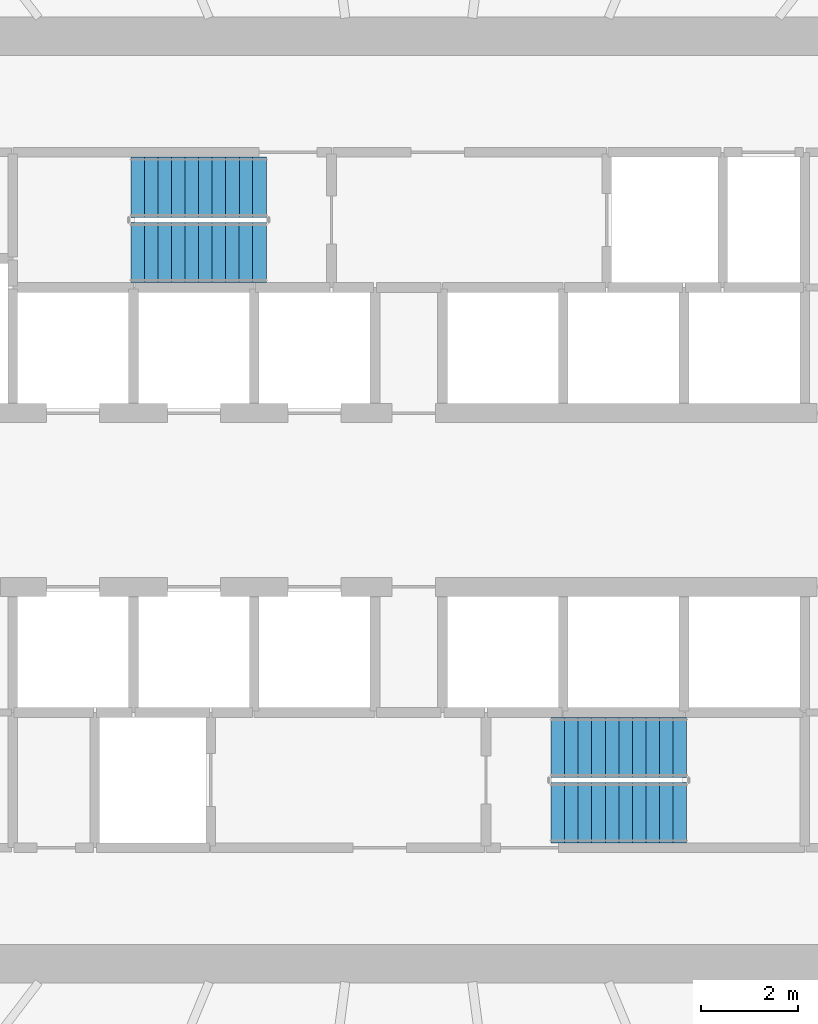
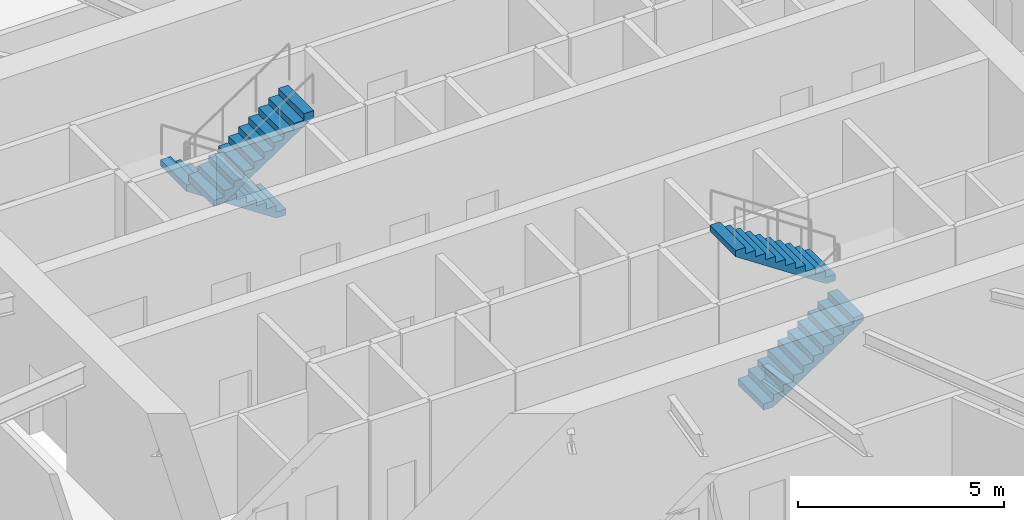
# One storey, part 14 of 17: 4 stair flights, 2 elements without a shape of their own.
"""IFC4 building model written with IfcOpenShell, lengths in metres."""

from ifc_helpers import new_model, si_unit, direction, frame, origin, place, context, subcontext, project, spatial, line, indexed_curve, outline, extrude, material, type_object, element, aggregate, save


model = new_model("IFC4")

# Units and contexts
model_context = context("Model", 3, precision=1e-05, world=origin(), true_north=direction((0.0, 1.0)))
body_context = subcontext(model_context, "Body", "Model", "MODEL_VIEW")
ifc_project = project(units=[si_unit("LENGTHUNIT", "METRE"), si_unit("AREAUNIT", "SQUARE_METRE"), si_unit("VOLUMEUNIT", "CUBIC_METRE"), si_unit("PLANEANGLEUNIT", "RADIAN"), si_unit("MASSUNIT", "GRAM", prefix="KILO")], contexts=[model_context])

# Site, building, storey
site_placement = place(None, origin())
site = spatial("IfcSite", under=ifc_project, at=site_placement, CompositionType="ELEMENT")
building_placement = place(site_placement, origin())
building = spatial("IfcBuilding", under=site, at=building_placement, Name="Spindrift Exchange Tower", CompositionType="ELEMENT")
storey_placement = place(building_placement, frame((0.0, 0.0, 112.60009765625)))
storey = spatial("IfcBuildingStorey", under=building, at=storey_placement, Name="L26", CompositionType="ELEMENT", Elevation=112.60009765625)

# Stair, stair flights
ifc_material = material(Name="Concrete 50 MPa", Category="concrete")
stair_type = type_object("IfcStairType", Name="ST-1250-R186", PredefinedType="HALF_TURN_STAIR", material=ifc_material)
stair_1_placement = place(storey_placement, origin())
stair_1 = element("IfcStair", 1, at=stair_1_placement, inside=storey, type_object=stair_type, Name="L26 Exit stair ST1", PredefinedType="HALF_TURN_STAIR")
stair_flight_type = type_object("IfcStairFlightType", Name="STF-1250-R186", PredefinedType="STRAIGHT", material=ifc_material)
stair_flight_1_placement = place(storey_placement, frame((49.050048828125, 54.47509765625, 0.0), z_axis=(0.0, 0.0, 1.0), x_axis=(-1.0, 0.0, 0.0)))
stair_flight_1 = element("IfcStairFlight", 2, at=stair_flight_1_placement, type_object=stair_flight_type, Name="ST1 flight 1", NumberOfRisers=11, NumberOfTreads=10, PredefinedType="STRAIGHT", RiserHeight=0.186363636, TreadLength=0.28, context=body_context, shape_type="SweptSolid", body=[
    extrude(outline(indexed_curve([(0.0, 0.0), (0.0, 0.1865234375), (0.2802734375, 0.1865234375), (0.2802734375, 0.373046875), (0.5595703125, 0.373046875), (0.5595703125, 0.5595703125), (0.83984375, 0.5595703125), (0.83984375, 0.7451171875), (1.1201171875, 0.7451171875), (1.1201171875, 0.931640625), (1.400390625, 0.931640625), (1.400390625, 1.1181640625), (1.6796875, 1.1181640625), (1.6796875, 1.3046875), (1.9599609375, 1.3046875), (1.9599609375, 1.4912109375), (2.240234375, 1.4912109375), (2.240234375, 1.677734375), (2.51953125, 1.677734375), (2.51953125, 1.86328125), (2.7998046875, 1.86328125), (2.7998046875, 2.0498046875), (2.7998046875, 1.68359375), (0.2705078125, 0.0)], segments=[line(1, 2, 3, 4, 5, 6, 7, 8, 9, 10, 11, 12, 13, 14, 15, 16, 17, 18, 19, 20, 21, 22, 23, 24, 1)], self_intersect=False)), frame((0.0, 0.625, 0.0), z_axis=(0.0, -1.0, 0.0), x_axis=(1.0, 0.0, 0.0)), (0.0, 0.0, 1.0), 1.25),
])
stair_flight_2_placement = place(storey_placement, frame((46.25, 53.125, 2.0498046875), z_axis=(0.0, 0.0, 1.0), x_axis=(1.0, 0.0, 0.0)))
stair_flight_2 = element("IfcStairFlight", 3, at=stair_flight_2_placement, type_object=stair_flight_type, Name="ST1 flight 2", NumberOfRisers=11, NumberOfTreads=10, PredefinedType="STRAIGHT", RiserHeight=0.186363636, TreadLength=0.28, context=body_context, shape_type="SweptSolid", body=[
    extrude(outline(indexed_curve([(0.0, 0.0), (0.0, 0.1865234375), (0.2802734375, 0.1865234375), (0.2802734375, 0.373046875), (0.5595703125, 0.373046875), (0.5595703125, 0.5595703125), (0.83984375, 0.5595703125), (0.83984375, 0.7451171875), (1.1201171875, 0.7451171875), (1.1201171875, 0.931640625), (1.400390625, 0.931640625), (1.400390625, 1.1181640625), (1.6796875, 1.1181640625), (1.6796875, 1.3046875), (1.9599609375, 1.3046875), (1.9599609375, 1.4912109375), (2.240234375, 1.4912109375), (2.240234375, 1.677734375), (2.51953125, 1.677734375), (2.51953125, 1.86328125), (2.7998046875, 1.86328125), (2.7998046875, 2.0498046875), (2.7998046875, 1.68359375), (0.2705078125, 0.0)], segments=[line(1, 2, 3, 4, 5, 6, 7, 8, 9, 10, 11, 12, 13, 14, 15, 16, 17, 18, 19, 20, 21, 22, 23, 24, 1)], self_intersect=False)), frame((0.0, 0.625, 0.0), z_axis=(0.0, -1.0, 0.0), x_axis=(1.0, 0.0, 0.0)), (0.0, 0.0, 1.0), 1.25),
])
aggregate(stair_1, [stair_flight_1, stair_flight_2])

stair_2_placement = place(storey_placement, origin())
stair_2 = element("IfcStair", 4, at=stair_2_placement, inside=storey, type_object=stair_type, Name="L26 Exit stair ST2", PredefinedType="HALF_TURN_STAIR")
stair_flight_3_placement = place(storey_placement, frame((54.949951171875, 41.52490234375, 0.0), z_axis=(0.0, 0.0, 1.0), x_axis=(1.0, 0.0, 0.0)))
stair_flight_3 = element("IfcStairFlight", 5, at=stair_flight_3_placement, type_object=stair_flight_type, Name="ST2 flight 1", NumberOfRisers=11, NumberOfTreads=10, PredefinedType="STRAIGHT", RiserHeight=0.186363636, TreadLength=0.28, context=body_context, shape_type="SweptSolid", body=[
    extrude(outline(indexed_curve([(0.0, 0.0), (0.0, 0.1865234375), (0.2802734375, 0.1865234375), (0.2802734375, 0.373046875), (0.5595703125, 0.373046875), (0.5595703125, 0.5595703125), (0.83984375, 0.5595703125), (0.83984375, 0.7451171875), (1.1201171875, 0.7451171875), (1.1201171875, 0.931640625), (1.400390625, 0.931640625), (1.400390625, 1.1181640625), (1.6796875, 1.1181640625), (1.6796875, 1.3046875), (1.9599609375, 1.3046875), (1.9599609375, 1.4912109375), (2.240234375, 1.4912109375), (2.240234375, 1.677734375), (2.51953125, 1.677734375), (2.51953125, 1.86328125), (2.7998046875, 1.86328125), (2.7998046875, 2.0498046875), (2.7998046875, 1.68359375), (0.2705078125, 0.0)], segments=[line(1, 2, 3, 4, 5, 6, 7, 8, 9, 10, 11, 12, 13, 14, 15, 16, 17, 18, 19, 20, 21, 22, 23, 24, 1)], self_intersect=False)), frame((0.0, 0.625, 0.0), z_axis=(0.0, -1.0, 0.0), x_axis=(1.0, 0.0, 0.0)), (0.0, 0.0, 1.0), 1.25),
])
stair_flight_4_placement = place(storey_placement, frame((57.75, 42.875, 2.0498046875), z_axis=(0.0, 0.0, 1.0), x_axis=(-1.0, 0.0, 0.0)))
stair_flight_4 = element("IfcStairFlight", 6, at=stair_flight_4_placement, type_object=stair_flight_type, Name="ST2 flight 2", NumberOfRisers=11, NumberOfTreads=10, PredefinedType="STRAIGHT", RiserHeight=0.186363636, TreadLength=0.28, context=body_context, shape_type="SweptSolid", body=[
    extrude(outline(indexed_curve([(0.0, 0.0), (0.0, 0.1865234375), (0.2802734375, 0.1865234375), (0.2802734375, 0.373046875), (0.5595703125, 0.373046875), (0.5595703125, 0.5595703125), (0.83984375, 0.5595703125), (0.83984375, 0.7451171875), (1.1201171875, 0.7451171875), (1.1201171875, 0.931640625), (1.400390625, 0.931640625), (1.400390625, 1.1181640625), (1.6796875, 1.1181640625), (1.6796875, 1.3046875), (1.9599609375, 1.3046875), (1.9599609375, 1.4912109375), (2.240234375, 1.4912109375), (2.240234375, 1.677734375), (2.51953125, 1.677734375), (2.51953125, 1.86328125), (2.7998046875, 1.86328125), (2.7998046875, 2.0498046875), (2.7998046875, 1.68359375), (0.2705078125, 0.0)], segments=[line(1, 2, 3, 4, 5, 6, 7, 8, 9, 10, 11, 12, 13, 14, 15, 16, 17, 18, 19, 20, 21, 22, 23, 24, 1)], self_intersect=False)), frame((0.0, 0.625, 0.0), z_axis=(0.0, -1.0, 0.0), x_axis=(1.0, 0.0, 0.0)), (0.0, 0.0, 1.0), 1.25),
])
aggregate(stair_2, [stair_flight_3, stair_flight_4])

save(model, "model.ifc")
